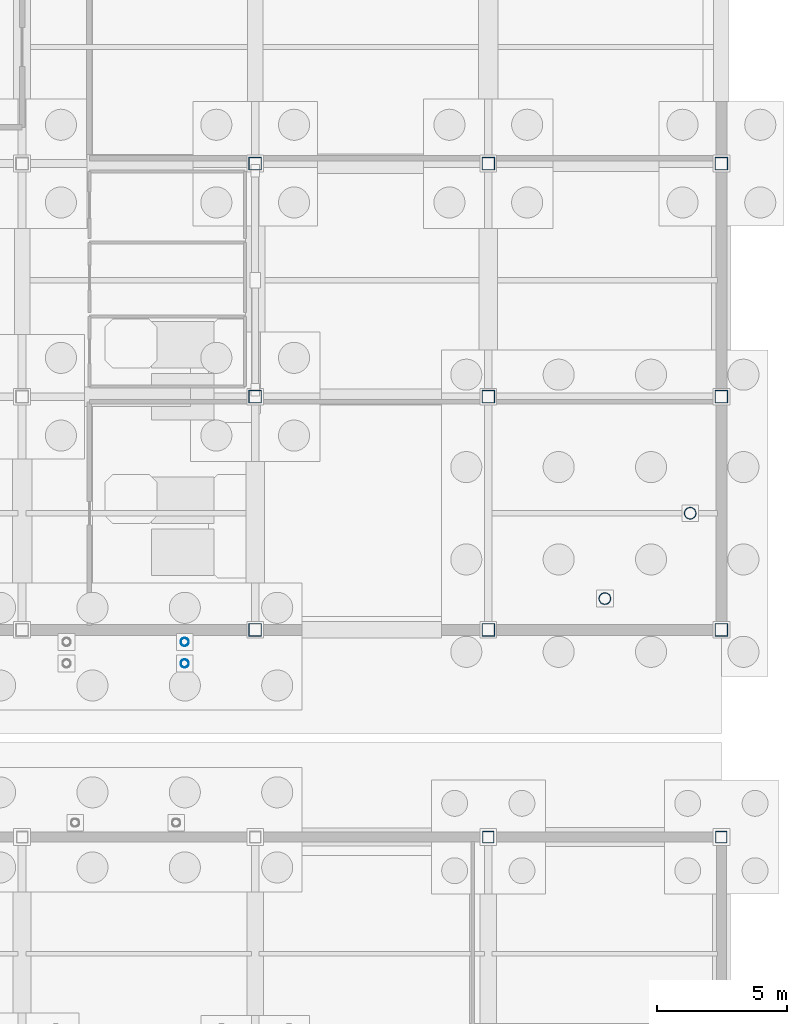
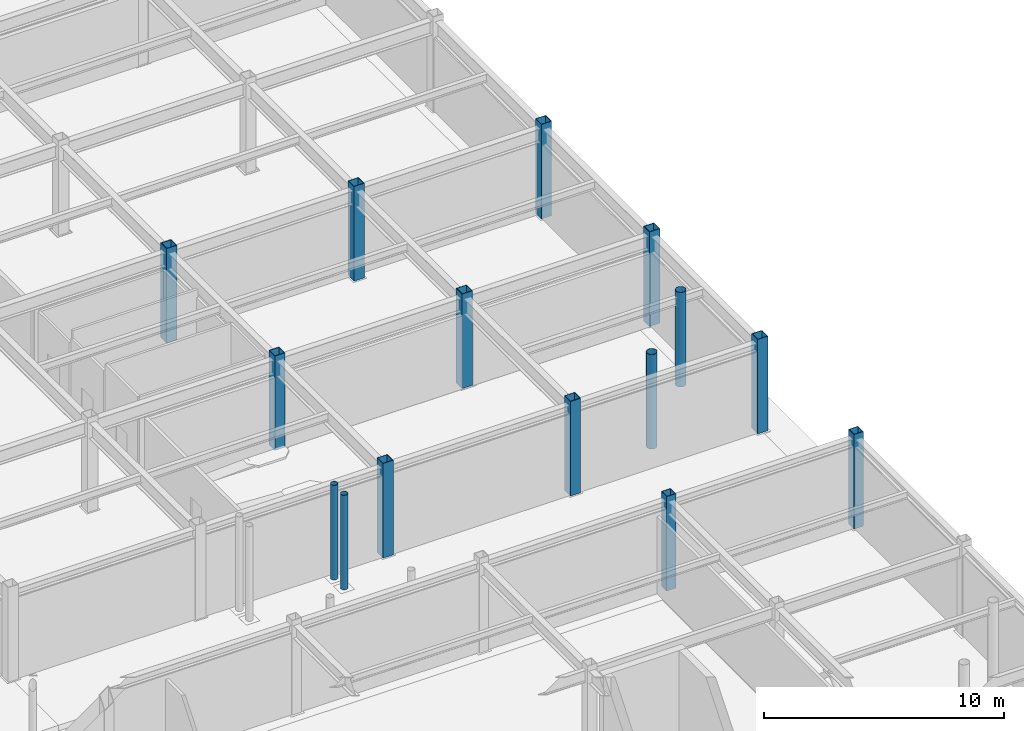
# One storey, part 37 of 74: 15 columns.
"""IFC4 building model written with IfcOpenShell, lengths in metres."""

import ifcopenshell
import ifcopenshell.guid

model = None  # the IFC model being written
_history = None  # IfcOwnerHistory: only IFC2X3 demands one
_inside = {}  # id of a spatial element -> (the spatial element, [elements in it])
_under = {}  # id of a project, library or spatial element -> (it, [spatial elements below it])
_declared = {}  # id of a project -> (the project, [libraries it declares])
_typed = {}  # id of a type object -> (the type object, [elements of that type])
_made_of = {}  # id of a material, layer set ... -> (it, [elements and type objects made of it])


def new_model(schema):
    """Start an empty IFC model of exactly this schema.

    Asked for "IFC4X3", IfcOpenShell would pick the latest addendum, in which some entities
    have other attributes; the version numbers below select the first issue.
    IFC2X3 requires an IfcOwnerHistory on every rooted entity: one is made here for all.
    """
    global model, _history
    if schema == "IFC4X3":
        model = ifcopenshell.file(schema_version=(4, 3, 0, 0))
    else:
        model = ifcopenshell.file(schema=schema)
    _inside.clear()
    _under.clear()
    _declared.clear()
    _typed.clear()
    _made_of.clear()
    _history = None
    if model.schema == "IFC2X3":
        org = make("IfcOrganization", Name="unknown")
        user = make(
            "IfcPersonAndOrganization",
            ThePerson=make("IfcPerson", FamilyName="unknown"),
            TheOrganization=org,
        )
        app = make(
            "IfcApplication",
            ApplicationDeveloper=org,
            Version="unknown",
            ApplicationFullName="unknown",
            ApplicationIdentifier="unknown",
        )
        _history = make(
            "IfcOwnerHistory",
            OwningUser=user,
            OwningApplication=app,
            ChangeAction="ADDED",
            CreationDate=0,
        )
    return model


def make(cls, **values):
    """One entity of the class cls with the attributes given. An attribute that is None is left unset."""
    return model.create_entity(
        cls, **{name: value for name, value in values.items() if value is not None}
    )


def rooted(cls, **values):
    """An entity with a GlobalId (a new one), such as an element, a storey or a relation."""
    return make(cls, GlobalId=ifcopenshell.guid.new(), OwnerHistory=_history, **values)


def si_unit(unit_type, name, prefix=None):
    """IfcSIUnit, for example si_unit("LENGTHUNIT", "METRE", prefix="MILLI")."""
    return make("IfcSIUnit", UnitType=unit_type, Prefix=prefix, Name=name)


def assignment(units):
    """IfcUnitAssignment: the units of a project."""
    return None if units is None else make("IfcUnitAssignment", Units=units)


def point(xyz):
    """IfcCartesianPoint."""
    return None if xyz is None else make("IfcCartesianPoint", Coordinates=xyz)


def direction(xyz):
    """IfcDirection."""
    return None if xyz is None else make("IfcDirection", DirectionRatios=xyz)


def frame(location, z_axis=None, x_axis=None):
    """IfcAxis2Placement3D, a coordinate frame: its origin and axes. An axis left out is left unset."""
    return make(
        "IfcAxis2Placement3D",
        Location=point(location),
        Axis=direction(z_axis),
        RefDirection=direction(x_axis),
    )


def frame_2d(location, x_axis=None):
    """IfcAxis2Placement2D, a coordinate frame in the plane: its origin and x axis."""
    return make(
        "IfcAxis2Placement2D", Location=point(location), RefDirection=direction(x_axis)
    )


def origin():
    """The frame at (0, 0, 0) with its axes left unset."""
    return frame((0.0, 0.0, 0.0))


def origin_2d():
    """The frame at (0, 0) in the plane with its x axis left unset."""
    return frame_2d((0.0, 0.0))


def place(relative_to, where):
    """IfcLocalPlacement: puts the frame where relative to a parent placement (None: the world)."""
    return make(
        "IfcLocalPlacement", PlacementRelTo=relative_to, RelativePlacement=where
    )


def context(
    kind, dimensions, precision=None, world=None, true_north=None, identifier=None
):
    """IfcGeometricRepresentationContext, for example the 3D "Model" context."""
    return make(
        "IfcGeometricRepresentationContext",
        ContextIdentifier=identifier,
        ContextType=kind,
        CoordinateSpaceDimension=dimensions,
        Precision=precision,
        WorldCoordinateSystem=world,
        TrueNorth=true_north,
    )


def subcontext(parent, identifier, kind, view, scale=None):
    """IfcGeometricRepresentationSubContext, for example "Body" below "Model"."""
    return make(
        "IfcGeometricRepresentationSubContext",
        ContextIdentifier=identifier,
        ContextType=kind,
        ParentContext=parent,
        TargetScale=scale,
        TargetView=view,
    )


def project(units=None, contexts=None):
    """IfcProject with its units and contexts."""
    return rooted(
        "IfcProject",
        Name="project",
        RepresentationContexts=contexts,
        UnitsInContext=assignment(units),
    )


def spatial(cls, under=None, at=None, **own):
    """A site, building, storey or space (cls), placed at a placement, below another one or the project."""
    s = rooted(cls, ObjectPlacement=at, **own)
    if under is not None:
        _under.setdefault(under.id(), (under, []))[1].append(s)
    return s


def profile(cls, at=None, kind="AREA", **sizes):
    """A parametric profile (cls). Its sizes go by their IFC names, for example OverallWidth=200.0."""
    return make(cls, ProfileType=kind, Position=at, **sizes)


def hollow_rectangle(**sizes):
    """IfcRectangleHollowProfileDef."""
    return profile("IfcRectangleHollowProfileDef", **sizes)


def hollow_circle(**sizes):
    """IfcCircleHollowProfileDef."""
    return profile("IfcCircleHollowProfileDef", **sizes)


def extrude(swept, where, along, depth):
    """IfcExtrudedAreaSolid: the profile swept, set in the frame where, extruded along a direction by depth."""
    return make(
        "IfcExtrudedAreaSolid",
        SweptArea=swept,
        Position=where,
        ExtrudedDirection=direction(along),
        Depth=depth,
    )


def shape(context_of_items, identifier, shape_type, items):
    """IfcShapeRepresentation: the items that make up one representation, for example the "Body"."""
    return make(
        "IfcShapeRepresentation",
        ContextOfItems=context_of_items,
        RepresentationIdentifier=identifier,
        RepresentationType=shape_type,
        Items=items,
    )


def material(Name=None, Category=None):
    """IfcMaterial."""
    return make("IfcMaterial", Name=Name, Category=Category)


def material_profile(
    of_material, cross_section, Name=None, Category=None, Priority=None
):
    """IfcMaterialProfile: a cross section and its material."""
    return make(
        "IfcMaterialProfile",
        Name=Name,
        Material=of_material,
        Profile=cross_section,
        Priority=Priority,
        Category=Category,
    )


def profile_set(profiles, Name=None, composite=None):
    """IfcMaterialProfileSet."""
    return make(
        "IfcMaterialProfileSet",
        Name=Name,
        MaterialProfiles=profiles,
        CompositeProfile=composite,
    )


def made_of(thing, what):
    """Note that an element or type object is made of a material, layer set ...; save() writes the relation."""
    if what is not None:
        _made_of.setdefault(what.id(), (what, []))[1].append(thing)
    return thing


def type_object(cls, material=None, **own):
    """A type object (cls), such as IfcWallType, which elements share."""
    return made_of(rooted(cls, **own), material)


def element(
    cls,
    number,
    at=None,
    inside=None,
    cuts=None,
    type_object=None,
    material=None,
    context=None,
    identifier="Body",
    shape_type=None,
    held_by="IfcProductDefinitionShape",
    body=None,
    shapes=None,
    **own,
):
    """One element of the class cls, such as IfcWall. Its Tag is "e" and its number.

    at: its placement. inside: the storey or other place that contains it. cuts: it is an
    opening in that element (IfcRelVoidsElement). A single representation is given by context,
    identifier, shape_type and body (its items); several are given by shapes. held_by: the class
    of the entity that holds the representations. save() writes the other relations.
    """
    e = rooted(cls, Tag="e%d" % number, ObjectPlacement=at, **own)
    if body is not None:
        shapes = [shape(context, identifier, shape_type, body)]
    if shapes is not None:
        e.Representation = make(held_by, Representations=shapes)
    if inside is not None:
        _inside.setdefault(inside.id(), (inside, []))[1].append(e)
    if cuts is not None:
        rooted(
            "IfcRelVoidsElement", RelatingBuildingElement=cuts, RelatedOpeningElement=e
        )
    if type_object is not None:
        _typed.setdefault(type_object.id(), (type_object, []))[1].append(e)
    return made_of(e, material)


def aggregate(whole, parts):
    """IfcRelAggregates: a whole, such as a stair, and the parts it consists of."""
    return rooted("IfcRelAggregates", RelatingObject=whole, RelatedObjects=parts)


def save(model, path):
    """Write the relations noted so far, then the file.

    IfcRelAggregates (storeys below a building ...), IfcRelContainedInSpatialStructure (elements
    in a storey), IfcRelDefinesByType, IfcRelAssociatesMaterial and IfcRelDeclares: one each for
    every whole, place, type object, material and project.
    """
    for whole, parts in _under.values():
        aggregate(whole, parts)
    for where, things in _inside.values():
        rooted(
            "IfcRelContainedInSpatialStructure",
            RelatedElements=things,
            RelatingStructure=where,
        )
    for kind, things in _typed.values():
        rooted("IfcRelDefinesByType", RelatedObjects=things, RelatingType=kind)
    for what, things in _made_of.values():
        rooted("IfcRelAssociatesMaterial", RelatedObjects=things, RelatingMaterial=what)
    for by, libraries in _declared.values():
        rooted("IfcRelDeclares", RelatingContext=by, RelatedDefinitions=libraries)
    model.write(path)


model = new_model("IFC4")

# Units and contexts
model_context = context("Model", 3, precision=1e-05, world=origin(), true_north=direction((0.0, 1.0)))
body_context = subcontext(model_context, "Body", "Model", "MODEL_VIEW")
ifc_project = project(units=[si_unit("LENGTHUNIT", "METRE"), si_unit("AREAUNIT", "SQUARE_METRE"), si_unit("VOLUMEUNIT", "CUBIC_METRE"), si_unit("PLANEANGLEUNIT", "RADIAN"), si_unit("MASSUNIT", "GRAM", prefix="KILO")], contexts=[model_context])

# Site, building, storey
site_placement = place(None, origin())
site = spatial("IfcSite", under=ifc_project, at=site_placement, CompositionType="ELEMENT")
building_placement = place(site_placement, origin())
building = spatial("IfcBuilding", under=site, at=building_placement, Name="Suzunagisa Mobility Hub", CompositionType="ELEMENT")
storey_placement = place(building_placement, frame((0.0, 0.0, -4.800048828125)))
storey = spatial("IfcBuildingStorey", under=building, at=storey_placement, Name="B1", CompositionType="ELEMENT", Elevation=-4.800048828125)

# Columns
ifc_material = material(Name="Steel SN490B", Category="steel")
ifc_material_profile_1 = material_profile(ifc_material, hollow_circle(Radius=0.228515625, WallThickness=0.01611328125, at=origin_2d()), Name="CHS-457.2x16.0")
ifc_profile_set_1 = profile_set([ifc_material_profile_1], Name="Steel SN490B")
column_type_1 = type_object("IfcColumnType", Name="Steel Column CL-08 CHS-457.2x16.0", PredefinedType="COLUMN", material=ifc_profile_set_1)
for number, where, z_axis, x_axis, name in (
    (1, (175.5, 45.205810546875, 0.0), (0.0, 0.0, 1.0), (1.0, 0.0, 0.0), "B1 Column 312"),
    (2, (178.794189453125, 48.5, 0.0), (0.0, 0.0, 1.0), (1.0, 0.0, 0.0), "B1 Column 318"),
):
    element("IfcColumn", number, at=place(storey_placement, frame(where, z_axis=z_axis, x_axis=x_axis)), inside=storey, type_object=column_type_1, Name=name, PredefinedType="COLUMN", context=body_context, shape_type="SweptSolid", body=[
        extrude(hollow_circle(Radius=0.228515625, WallThickness=0.01611328125, at=origin_2d()), origin(), (0.0, 0.0, 1.0), 4.800048828125),
    ])
ifc_material_profile_2 = material_profile(ifc_material, hollow_circle(Radius=0.1591796875, WallThickness=0.01025390625, at=origin_2d()), Name="CHS-318.5x10.3")
ifc_profile_set_2 = profile_set([ifc_material_profile_2], Name="Steel SN490B")
column_type_2 = type_object("IfcColumnType", Name="Steel Column CL-09 CHS-318.5x10.3", PredefinedType="COLUMN", material=ifc_profile_set_2)
for number, where, z_axis, x_axis, name in (
    (3, (159.280029296875, 42.699951171875, 0.0), (0.0, 0.0, 1.0), (1.0, 0.0, 0.0), "B1 Column 281"),
    (4, (159.280029296875, 43.530029296875, 0.0), (0.0, 0.0, 1.0), (1.0, 0.0, 0.0), "B1 Column 282"),
):
    element("IfcColumn", number, at=place(storey_placement, frame(where, z_axis=z_axis, x_axis=x_axis)), inside=storey, type_object=column_type_2, Name=name, PredefinedType="COLUMN", context=body_context, shape_type="SweptSolid", body=[
        extrude(hollow_circle(Radius=0.1591796875, WallThickness=0.01025390625, at=origin_2d()), origin(), (0.0, 0.0, 1.0), 4.800048828125),
    ])
ifc_material_profile_3 = material_profile(ifc_material, hollow_rectangle(XDim=0.5, YDim=0.5, WallThickness=0.02490234375, at=origin_2d()), Name="BCR-500x500x25")
ifc_profile_set_3 = profile_set([ifc_material_profile_3], Name="Steel SN490B")
column_type_3 = type_object("IfcColumnType", Name="Steel Column CL-11 BCR-500x500x25", PredefinedType="COLUMN", material=ifc_profile_set_3)
for number, where, z_axis, x_axis, name in (
    (5, (162.0, 44.0, 0.0), (0.0, 0.0, 1.0), (1.0, 0.0, 0.0), "B1 Column 288"),
    (6, (162.0, 53.0, 0.0), (0.0, 0.0, 1.0), (1.0, 0.0, 0.0), "B1 Column 289"),
    (7, (162.0, 62.0, 0.0), (0.0, 0.0, 1.0), (1.0, 0.0, 0.0), "B1 Column 290"),
    (8, (171.0, 44.0, 0.0), (0.0, 0.0, 1.0), (1.0, 0.0, 0.0), "B1 Column 301"),
    (9, (171.0, 53.0, 0.0), (0.0, 0.0, 1.0), (1.0, 0.0, 0.0), "B1 Column 302"),
    (10, (171.0, 62.0, 0.0), (0.0, 0.0, 1.0), (1.0, 0.0, 0.0), "B1 Column 303"),
    (11, (180.0, 44.0, 0.0), (0.0, 0.0, 1.0), (1.0, 0.0, 0.0), "B1 Column 325"),
    (12, (180.0, 53.0, 0.0), (0.0, 0.0, 1.0), (1.0, 0.0, 0.0), "B1 Column 326"),
    (13, (180.0, 62.0, 0.0), (0.0, 0.0, 1.0), (1.0, 0.0, 0.0), "B1 Column 327"),
):
    element("IfcColumn", number, at=place(storey_placement, frame(where, z_axis=z_axis, x_axis=x_axis)), inside=storey, type_object=column_type_3, Name=name, PredefinedType="COLUMN", context=body_context, shape_type="SweptSolid", body=[
        extrude(hollow_rectangle(XDim=0.5, YDim=0.5, WallThickness=0.02490234375, at=origin_2d()), origin(), (0.0, 0.0, 1.0), 4.800048828125),
    ])
ifc_material_profile_4 = material_profile(ifc_material, hollow_rectangle(XDim=0.449951171875, YDim=0.449951171875, WallThickness=0.02197265625, at=origin_2d()), Name="BCR-450x450x22")
ifc_profile_set_4 = profile_set([ifc_material_profile_4], Name="Steel SN490B")
column_type_4 = type_object("IfcColumnType", Name="Steel Column CL-17 BCR-450x450x22", PredefinedType="COLUMN", material=ifc_profile_set_4)
for number, where, z_axis, x_axis, name in (
    (14, (171.0, 36.0, 0.0), (0.0, 0.0, 1.0), (1.0, 0.0, 0.0), "B1 Column 300"),
    (15, (180.0, 36.0, 0.0), (0.0, 0.0, 1.0), (1.0, 0.0, 0.0), "B1 Column 324"),
):
    element("IfcColumn", number, at=place(storey_placement, frame(where, z_axis=z_axis, x_axis=x_axis)), inside=storey, type_object=column_type_4, Name=name, PredefinedType="COLUMN", context=body_context, shape_type="SweptSolid", body=[
        extrude(hollow_rectangle(XDim=0.449951171875, YDim=0.449951171875, WallThickness=0.02197265625, at=origin_2d()), origin(), (0.0, 0.0, 1.0), 4.800048828125),
    ])

save(model, "model.ifc")
